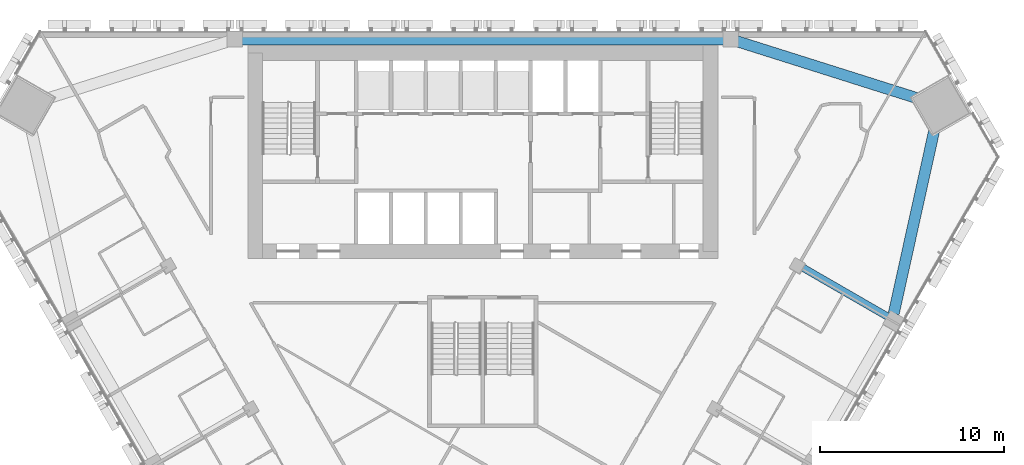
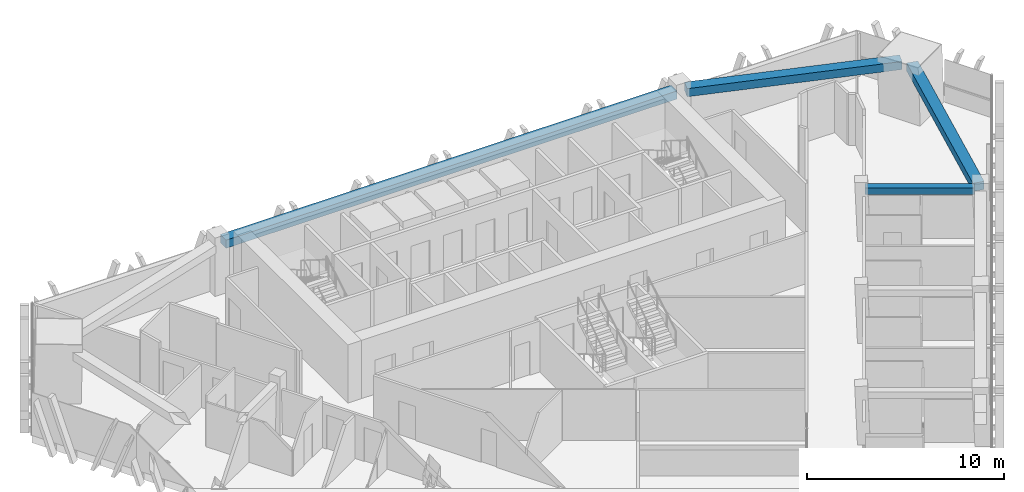
# One storey, part 6 of 16: 4 beams.
"""IFC4 building model written with IfcOpenShell, lengths in metres."""

from ifc_helpers import new_model, si_unit, direction, frame, origin, origin_2d, place, context, subcontext, project, spatial, rectangle, extrude, material, material_profile, profile_set, type_object, element, save


model = new_model("IFC4")

# Units and contexts
model_context = context("Model", 3, precision=1e-05, world=origin(), true_north=direction((0.0, 1.0)))
body_context = subcontext(model_context, "Body", "Model", "MODEL_VIEW")
ifc_project = project(units=[si_unit("LENGTHUNIT", "METRE"), si_unit("AREAUNIT", "SQUARE_METRE"), si_unit("VOLUMEUNIT", "CUBIC_METRE"), si_unit("PLANEANGLEUNIT", "RADIAN"), si_unit("MASSUNIT", "GRAM", prefix="KILO")], contexts=[model_context])

# Site, building, storey
site_placement = place(None, origin())
site = spatial("IfcSite", under=ifc_project, at=site_placement, CompositionType="ELEMENT")
building_placement = place(site_placement, origin())
building = spatial("IfcBuilding", under=site, at=building_placement, Name="Altiplano Prism Tower", CompositionType="ELEMENT")
storey_placement = place(building_placement, frame((0.0, 0.0, 124.199951171875)))
storey = spatial("IfcBuildingStorey", under=building, at=storey_placement, Name="L31", CompositionType="ELEMENT", Elevation=124.199951171875)

# Beams
ifc_material = material(Name="Concrete C60/75", Category="concrete")
ifc_material_profile_1 = material_profile(ifc_material, rectangle(XDim=0.60009765625, YDim=0.5, at=origin_2d()), Name="Edge beam 600x500")
ifc_profile_set_1 = profile_set([ifc_material_profile_1], Name="Concrete C60/75")
beam_type_1 = type_object("IfcBeamType", Name="Edge beam 600x500", PredefinedType="SPANDREL", material=ifc_profile_set_1)
beam_1_placement = place(storey_placement, frame((107.37744140625, 89.61376953125, 2.900146484375), z_axis=(0.215860480853, 0.976424217646, 0.0), x_axis=(-0.976424217646, 0.215860480853, 0.0)))
element("IfcBeam", 1, at=beam_1_placement, inside=storey, type_object=beam_type_1, Name="Edge beam P24-M2 L32", PredefinedType="SPANDREL", context=body_context, shape_type="SweptSolid", body=[
    extrude(rectangle(XDim=0.60009765625, YDim=0.5, at=origin_2d()), origin(), (0.0, 0.0, 1.0), 11.1630859375),
])
beam_2_placement = place(storey_placement, frame((109.455078125, 101.088623046875, 2.900146484375), z_axis=(-0.953535056899, 0.301282085868, 0.0), x_axis=(-0.301282085868, -0.953535056899, 0.0)))
element("IfcBeam", 2, at=beam_2_placement, inside=storey, type_object=beam_type_1, Name="Edge beam M2-P01 L32", PredefinedType="SPANDREL", context=body_context, shape_type="SweptSolid", body=[
    extrude(rectangle(XDim=0.60009765625, YDim=0.5, at=origin_2d()), origin(), (0.0, 0.0, 1.0), 11.163330078125),
])
beam_3_placement = place(storey_placement, frame((98.195068359375, 104.550048828125, 2.900146484375), z_axis=(-1.0, 0.0, 0.0), x_axis=(0.0, -1.0, 0.0)))
element("IfcBeam", 3, at=beam_3_placement, inside=storey, type_object=beam_type_1, Name="Edge beam P01-P04 L32", PredefinedType="SPANDREL", context=body_context, shape_type="SweptSolid", body=[
    extrude(rectangle(XDim=0.60009765625, YDim=0.5, at=origin_2d()), origin(), (0.0, 0.0, 1.0), 26.39013671875),
])
ifc_material_profile_2 = material_profile(ifc_material, rectangle(XDim=0.39990234375, YDim=0.39990234375, at=origin_2d()), Name="Tie beam 400x400")
ifc_profile_set_2 = profile_set([ifc_material_profile_2], Name="Concrete C60/75")
beam_type_2 = type_object("IfcBeamType", Name="Tie beam 400x400", PredefinedType="BEAM", material=ifc_profile_set_2)
beam_4_placement = place(storey_placement, frame((102.2451171875, 92.218017578125, 2.949951171875), z_axis=(0.866046155052, -0.499964056028, 0.0), x_axis=(0.499964056028, 0.866046155052, 0.0)))
element("IfcBeam", 4, at=beam_4_placement, inside=storey, type_object=beam_type_2, Name="Tie beam I24 L32", PredefinedType="BEAM", context=body_context, shape_type="SweptSolid", body=[
    extrude(rectangle(XDim=0.39990234375, YDim=0.39990234375, at=origin_2d()), origin(), (0.0, 0.0, 1.0), 5.5400390625),
])

save(model, "model.ifc")
